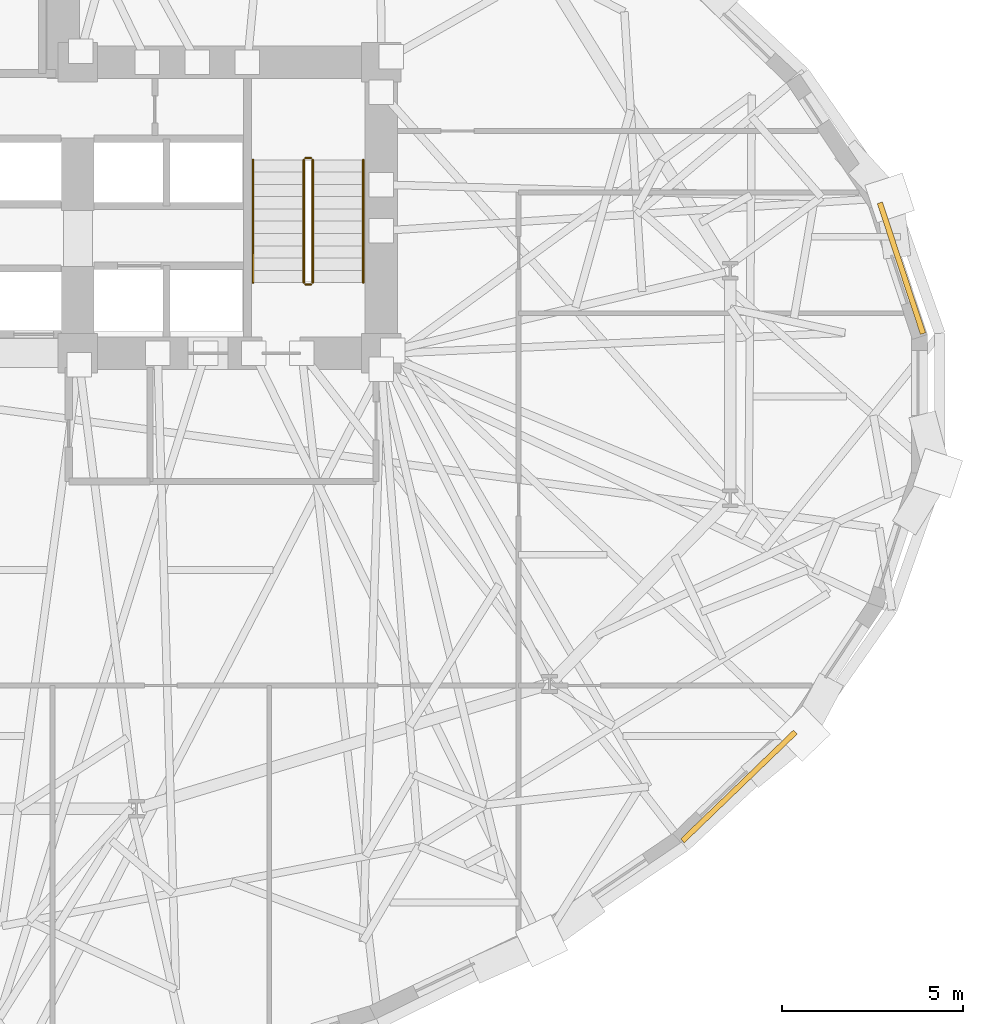
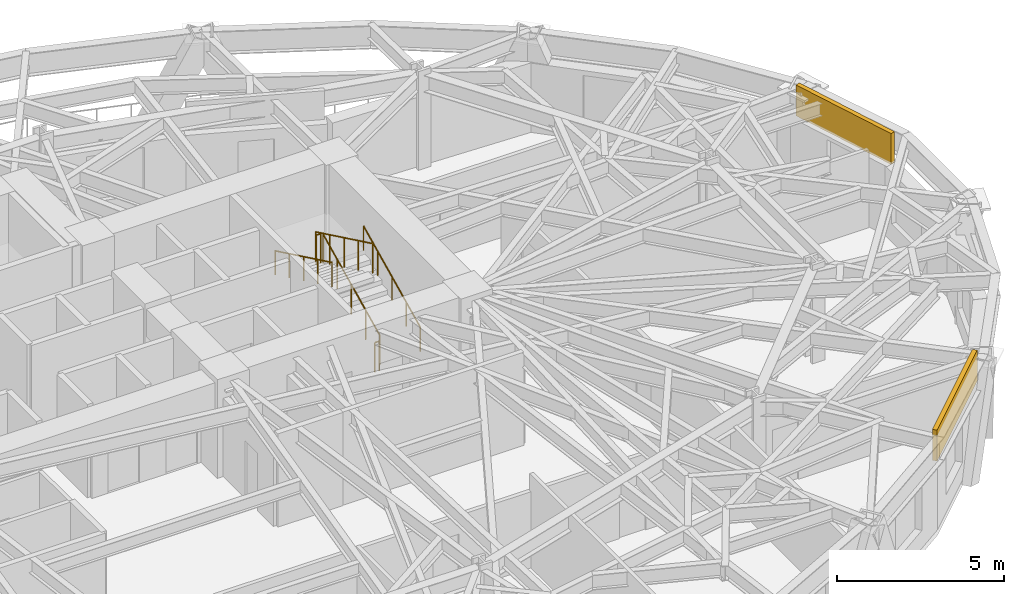
# One storey, part 14 of 15: 6 railings, 2 coverings.
"""IFC4 building model written with IfcOpenShell, lengths in metres."""

from ifc_helpers import new_model, si_unit, direction, frame, origin, origin_2d, place, context, subcontext, project, spatial, rectangle, circle, extrude, material, layer, layer_set, type_object, element, save


model = new_model("IFC4")

# Units and contexts
model_context = context("Model", 3, precision=1e-05, world=origin(), true_north=direction((0.0, 1.0)))
body_context = subcontext(model_context, "Body", "Model", "MODEL_VIEW")
ifc_project = project(units=[si_unit("LENGTHUNIT", "METRE"), si_unit("AREAUNIT", "SQUARE_METRE"), si_unit("VOLUMEUNIT", "CUBIC_METRE"), si_unit("PLANEANGLEUNIT", "RADIAN"), si_unit("MASSUNIT", "GRAM", prefix="KILO")], contexts=[model_context])

# Site, building, storey
site_placement = place(None, origin())
site = spatial("IfcSite", under=ifc_project, at=site_placement, CompositionType="ELEMENT")
building_placement = place(site_placement, origin())
building = spatial("IfcBuilding", under=site, at=building_placement, Name="Keldmark Tower", CompositionType="ELEMENT")
storey_placement = place(building_placement, frame((0.0, 0.0, 55.800048828125)))
storey = spatial("IfcBuildingStorey", under=building, at=storey_placement, Name="L14", CompositionType="ELEMENT", Elevation=55.800048828125)

# Coverings
ifc_material_1 = material(Name="Honed Kasota Buff Dolomitic Limestone", Category="masonry")
ifc_layer = layer(ifc_material_1, 0.074951171875)
ifc_layer_set = layer_set([ifc_layer], Name="Honed Kasota Buff Dolomitic Limestone")
covering_type = type_object("IfcCoveringType", Name="Kasota Buff Limestone Spandrel Cladding Band", PredefinedType="CLADDING", material=ifc_layer_set)
covering_1_placement = place(storey_placement, frame((27.993408203125, 3.749755859375, 2.452880859375), z_axis=(0.0, 0.0, 1.0), x_axis=(-0.313163806484, 0.949699126202, 0.0)))
element("IfcCovering", 1, at=covering_1_placement, inside=storey, type_object=covering_type, Name="L14 Kasota Limestone Spandrel Band 01", PredefinedType="CLADDING", context=body_context, shape_type="SweptSolid", body=[
    extrude(rectangle(XDim=3.81201171875, YDim=0.14990234375, at=origin_2d()), origin(), (0.0, 0.0, 1.0), 1.126953125),
])
covering_2_placement = place(storey_placement, frame((23.49462890625, -10.592041015625, 2.452880859375), z_axis=(0.0, 0.0, 1.0), x_axis=(0.71993361692, 0.694042928952, 0.0)))
element("IfcCovering", 2, at=covering_2_placement, inside=storey, type_object=covering_type, Name="L14 Kasota Limestone Spandrel Band 29", PredefinedType="CLADDING", context=body_context, shape_type="SweptSolid", body=[
    extrude(rectangle(XDim=4.34228515625, YDim=0.14990234375, at=origin_2d()), origin(), (0.0, 0.0, 1.0), 1.126953125),
])

# Railings
ifc_material_2 = material(Name="Painted Steel ASTM A500 Grade B", Category="steel")
railing_type_1 = type_object("IfcRailingType", Name="Painted Steel Stair Well Guard 1100 mm", PredefinedType="GUARDRAIL", material=ifc_material_2)
railing_1_placement = place(storey_placement, frame((11.699951171875, 3.35009765625, 0.16357421875)))
element("IfcRailing", 3, at=railing_1_placement, inside=storey, type_object=railing_type_1, Name="L14 ST2 stair guard 1", PredefinedType="GUARDRAIL", context=body_context, shape_type="SweptSolid", body=[
    extrude(circle(Radius=0.02392578125, at=origin_2d()), frame((0.0, 0.0, 1.076171875), z_axis=(0.0, 0.901055053782, 0.433704726806), x_axis=(-1.0, 0.0, 0.0)), (0.0, 0.0, 1.0), 3.773193359375),
    extrude(circle(Radius=0.02099609375, at=origin_2d()), origin(), (0.0, 0.0, 1.0), 1.052001953125),
    extrude(circle(Radius=0.02099609375, at=origin_2d()), frame((0.0, 0.85009765625, 0.4091796875)), (0.0, 0.0, 1.0), 1.052001953125),
    extrude(circle(Radius=0.02099609375, at=origin_2d()), frame((0.0, 1.699951171875, 0.818359375)), (0.0, 0.0, 1.0), 1.052001953125),
    extrude(circle(Radius=0.02099609375, at=origin_2d()), frame((0.0, 2.5498046875, 1.227294921875)), (0.0, 0.0, 1.0), 1.052001953125),
    extrude(circle(Radius=0.02099609375, at=origin_2d()), frame((0.0, 3.39990234375, 1.636474609375)), (0.0, 0.0, 1.0), 1.052001953125),
])
railing_2_placement = place(storey_placement, frame((11.64990234375, 6.800048828125, 1.800048828125)))
element("IfcRailing", 4, at=railing_2_placement, inside=storey, type_object=railing_type_1, Name="L14 ST2 stair guard 2", PredefinedType="GUARDRAIL", context=body_context, shape_type="SweptSolid", body=[
    extrude(circle(Radius=0.02392578125, at=origin_2d()), frame((0.0, 0.0, 1.076171875), z_axis=(-1.0, 0.0, 0.0), x_axis=(0.0, -1.0, 0.0)), (0.0, 0.0, 1.0), 0.14990234375),
    extrude(circle(Radius=0.02099609375, at=origin_2d()), origin(), (0.0, 0.0, 1.0), 1.052001953125),
    extrude(circle(Radius=0.02099609375, at=origin_2d()), frame((-0.14990234375, 0.0, 0.0)), (0.0, 0.0, 1.0), 1.052001953125),
])
railing_3_placement = place(storey_placement, frame((11.449951171875, 6.75, 1.963623046875)))
element("IfcRailing", 5, at=railing_3_placement, inside=storey, type_object=railing_type_1, Name="L14 ST2 stair guard 3", PredefinedType="GUARDRAIL", context=body_context, shape_type="SweptSolid", body=[
    extrude(circle(Radius=0.02392578125, at=origin_2d()), frame((0.0, 0.0, 1.076171875), z_axis=(0.0, -0.901080338394, 0.433652192153), x_axis=(1.0, 0.0, 0.0)), (0.0, 0.0, 1.0), 3.773193359375),
    extrude(circle(Radius=0.02099609375, at=origin_2d()), origin(), (0.0, 0.0, 1.0), 1.052001953125),
    extrude(circle(Radius=0.02099609375, at=origin_2d()), frame((0.0, -0.85009765625, 0.4091796875)), (0.0, 0.0, 1.0), 1.052001953125),
    extrude(circle(Radius=0.02099609375, at=origin_2d()), frame((0.0, -1.699951171875, 0.818115234375)), (0.0, 0.0, 1.0), 1.052001953125),
    extrude(circle(Radius=0.02099609375, at=origin_2d()), frame((0.0, -2.5498046875, 1.22705078125)), (0.0, 0.0, 1.0), 1.052001953125),
    extrude(circle(Radius=0.02099609375, at=origin_2d()), frame((0.0, -3.39990234375, 1.63623046875)), (0.0, 0.0, 1.0), 1.052001953125),
])
railing_4_placement = place(storey_placement, frame((11.64990234375, 3.300048828125, 0.0)))
element("IfcRailing", 6, at=railing_4_placement, inside=storey, type_object=railing_type_1, Name="L14 ST2 stair guard 4", PredefinedType="GUARDRAIL", context=body_context, shape_type="SweptSolid", body=[
    extrude(circle(Radius=0.02392578125, at=origin_2d()), frame((0.0, 0.0, 1.076171875), z_axis=(-1.0, 0.0, 0.0), x_axis=(0.0, -1.0, 0.0)), (0.0, 0.0, 1.0), 0.14990234375),
    extrude(circle(Radius=0.02099609375, at=origin_2d()), origin(), (0.0, 0.0, 1.0), 1.052001953125),
    extrude(circle(Radius=0.02099609375, at=origin_2d()), frame((-0.14990234375, 0.0, 0.0)), (0.0, 0.0, 1.0), 1.052001953125),
])
ifc_material_3 = material(Name="Stainless Steel AISI 316L", Category="steel")
railing_type_2 = type_object("IfcRailingType", Name="Stainless Steel Stair Handrail 900 mm", PredefinedType="HANDRAIL", material=ifc_material_3)
railing_5_placement = place(storey_placement, frame((13.10009765625, 3.35009765625, 0.16357421875)))
element("IfcRailing", 7, at=railing_5_placement, inside=storey, type_object=railing_type_2, Name="L14 ST2 stair handrail 1", PredefinedType="HANDRAIL", context=body_context, shape_type="SweptSolid", body=[
    extrude(circle(Radius=0.02392578125, at=origin_2d()), frame((0.0, 0.0, 0.8759765625), z_axis=(0.0, 0.901055053782, 0.433704726806), x_axis=(-1.0, 0.0, 0.0)), (0.0, 0.0, 1.0), 3.773193359375),
    extrude(circle(Radius=0.02099609375, at=origin_2d()), origin(), (0.0, 0.0, 1.0), 0.851806640625),
    extrude(circle(Radius=0.02099609375, at=origin_2d()), frame((0.0, 0.85009765625, 0.4091796875)), (0.0, 0.0, 1.0), 0.851806640625),
    extrude(circle(Radius=0.02099609375, at=origin_2d()), frame((0.0, 1.699951171875, 0.818359375)), (0.0, 0.0, 1.0), 0.851806640625),
    extrude(circle(Radius=0.02099609375, at=origin_2d()), frame((0.0, 2.5498046875, 1.227294921875)), (0.0, 0.0, 1.0), 0.851806640625),
    extrude(circle(Radius=0.02099609375, at=origin_2d()), frame((0.0, 3.39990234375, 1.636474609375)), (0.0, 0.0, 1.0), 0.851806640625),
])
railing_6_placement = place(storey_placement, frame((10.050048828125, 6.75, 1.963623046875)))
element("IfcRailing", 8, at=railing_6_placement, inside=storey, type_object=railing_type_2, Name="L14 ST2 stair handrail 2", PredefinedType="HANDRAIL", context=body_context, shape_type="SweptSolid", body=[
    extrude(circle(Radius=0.02392578125, at=origin_2d()), frame((0.0, 0.0, 0.8759765625), z_axis=(0.0, -0.901080338394, 0.433652192153), x_axis=(1.0, 0.0, 0.0)), (0.0, 0.0, 1.0), 3.773193359375),
    extrude(circle(Radius=0.02099609375, at=origin_2d()), origin(), (0.0, 0.0, 1.0), 0.851806640625),
    extrude(circle(Radius=0.02099609375, at=origin_2d()), frame((0.0, -0.85009765625, 0.4091796875)), (0.0, 0.0, 1.0), 0.851806640625),
    extrude(circle(Radius=0.02099609375, at=origin_2d()), frame((0.0, -1.699951171875, 0.818115234375)), (0.0, 0.0, 1.0), 0.851806640625),
    extrude(circle(Radius=0.02099609375, at=origin_2d()), frame((0.0, -2.5498046875, 1.22705078125)), (0.0, 0.0, 1.0), 0.851806640625),
    extrude(circle(Radius=0.02099609375, at=origin_2d()), frame((0.0, -3.39990234375, 1.63623046875)), (0.0, 0.0, 1.0), 0.851806640625),
])

save(model, "model.ifc")
